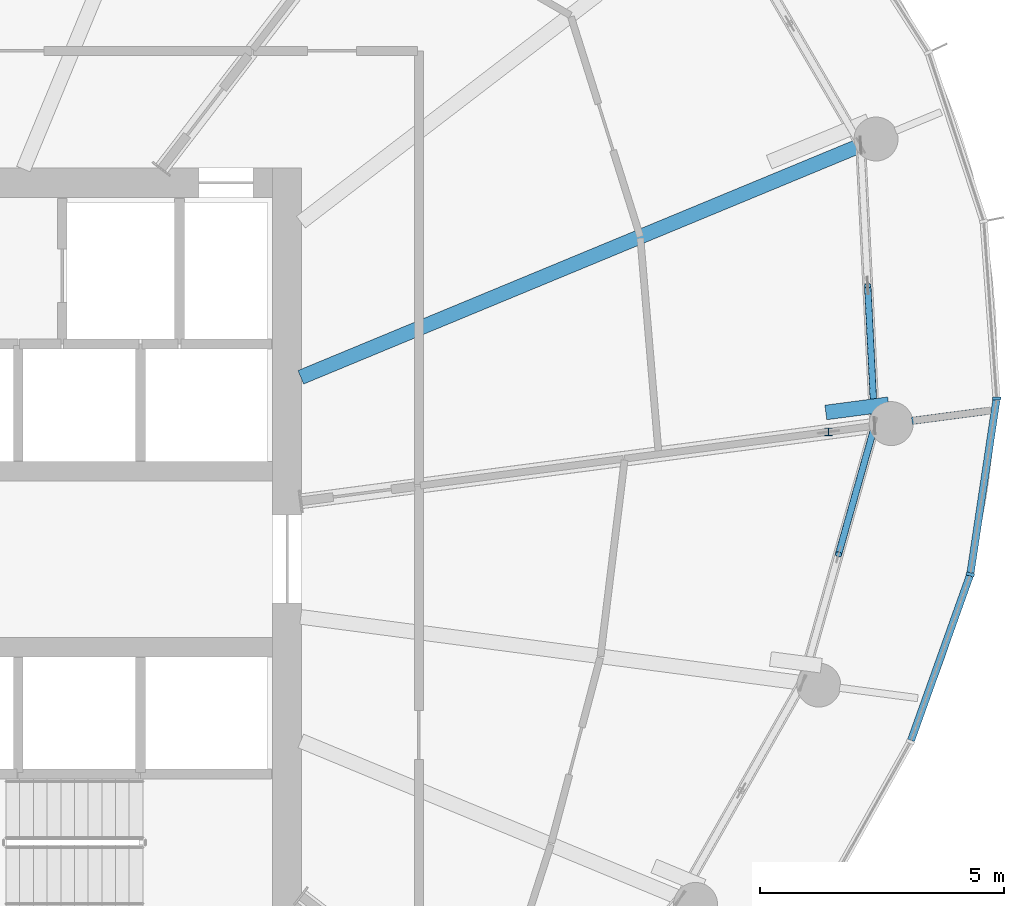
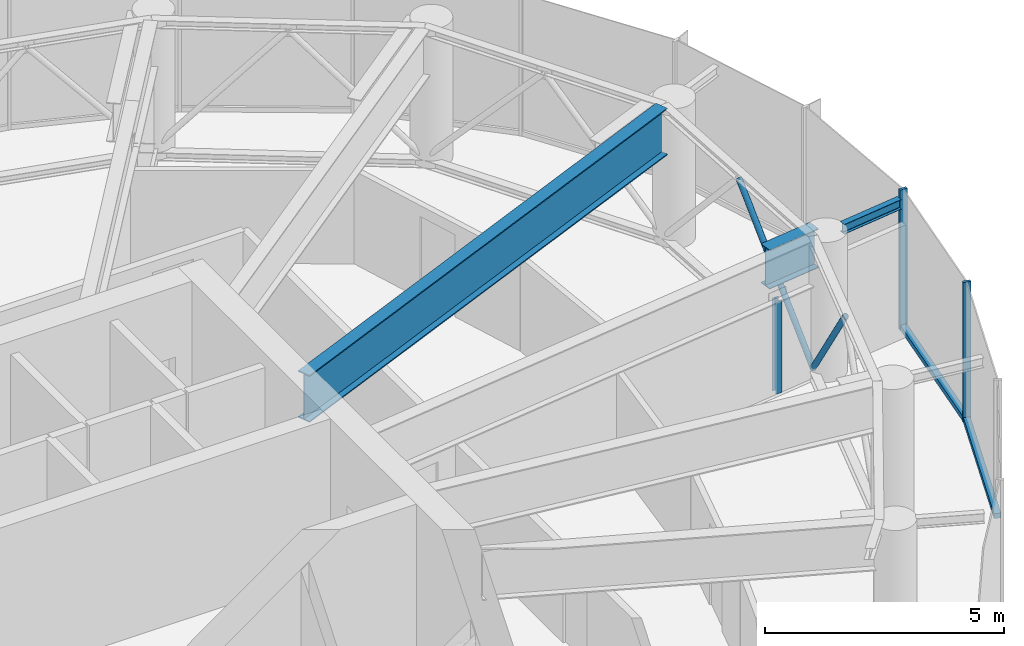
# One storey, part 9 of 26: 7 members, 3 beams, 1 element without a shape of its own.
"""IFC4 building model written with IfcOpenShell, lengths in metres."""

from ifc_helpers import new_model, si_unit, direction, frame, origin, origin_2d, place, context, subcontext, project, spatial, rectangle, hollow_circle, i_section, extrude, source, transform, mapped, material, layer, layer_set, material_profile, profile_set, type_object, element, aggregate, save


model = new_model("IFC4")

# Units and contexts
model_context = context("Model", 3, precision=1e-05, world=origin(), true_north=direction((0.0, 1.0)))
body_context = subcontext(model_context, "Body", "Model", "MODEL_VIEW")
ifc_project = project(units=[si_unit("LENGTHUNIT", "METRE"), si_unit("AREAUNIT", "SQUARE_METRE"), si_unit("VOLUMEUNIT", "CUBIC_METRE"), si_unit("PLANEANGLEUNIT", "RADIAN"), si_unit("MASSUNIT", "GRAM", prefix="KILO")], contexts=[model_context])

# Site, building, storey
site_placement = place(None, origin())
site = spatial("IfcSite", under=ifc_project, at=site_placement, CompositionType="ELEMENT")
building_placement = place(site_placement, origin())
building = spatial("IfcBuilding", under=site, at=building_placement, Name="Spindrift Exchange Tower", CompositionType="ELEMENT")
storey_placement = place(building_placement, frame((0.0, 0.0, 230.60009765625)))
storey = spatial("IfcBuildingStorey", under=building, at=storey_placement, Name="L56", CompositionType="ELEMENT", Elevation=230.60009765625)

# Beams
ifc_material_1 = material(Name="Steel Grade 300", Category="steel")
ifc_material_profile_1 = material_profile(ifc_material_1, i_section(OverallWidth=0.14599609375, OverallDepth=0.251953125, WebThickness=0.006103515625, FlangeThickness=0.008544921875, FilletRadius=0.011962890625, at=origin_2d()), Name="250UB31.4")
ifc_profile_set_1 = profile_set([ifc_material_profile_1], Name="Steel Grade 300")
beam_type_1 = type_object("IfcBeamType", Name="Cantilever Beam 250UB31.4 Steel Grade 300", PredefinedType="BEAM", material=ifc_profile_set_1)
shared_shape_1 = source(origin(), body_context, "Body", "SweptSolid", [
    extrude(i_section(OverallWidth=0.14599609375, OverallDepth=0.251953125, WebThickness=0.006103515625, FlangeThickness=0.008544921875, FilletRadius=0.011962890625, at=origin_2d()), origin(), (0.0, 0.0, 1.0), 1.505126953125),
])
beam_1_placement = place(storey_placement, frame((73.488525390625, 50.8291015625, 3.453857421875), z_axis=(0.991458711995, 0.130420943136, 0.0), x_axis=(-0.130420943136, 0.991458711995, 0.0)))
element("IfcBeam", 1, at=beam_1_placement, inside=storey, type_object=beam_type_1, Name="L56 cantilever beam R01T", PredefinedType="BEAM", context=body_context, shape_type="MappedRepresentation", body=[
    mapped(shared_shape_1, transform((0.0, 0.0, 0.0), scale=1.0)),
])
ifc_material_profile_2 = material_profile(ifc_material_1, i_section(OverallWidth=0.300048828125, OverallDepth=1.199951171875, WebThickness=0.011962890625, FlangeThickness=0.028076171875, at=origin_2d()), Name="1200WB249")
ifc_profile_set_2 = profile_set([ifc_material_profile_2], Name="Steel Grade 300")
beam_type_2 = type_object("IfcBeamType", Name="Transfer Girder 1200WB249 Steel Grade 300", PredefinedType="BEAM", material=ifc_profile_set_2)
shared_shape_2 = source(origin(), body_context, "Body", "SweptSolid", [
    extrude(i_section(OverallWidth=0.300048828125, OverallDepth=1.199951171875, WebThickness=0.011962890625, FlangeThickness=0.028076171875, at=origin_2d()), origin(), (0.0, 0.0, 1.0), 12.3115234375),
])
beam_2_placement = place(storey_placement, frame((60.9814453125, 51.72021484375, 2.97998046875), z_axis=(0.923878099838, 0.382686891126, 0.0), x_axis=(-0.382686891126, 0.923878099838, 0.0)))
element("IfcBeam", 2, at=beam_2_placement, inside=storey, type_object=beam_type_2, Name="L56 radial beam R02A", PredefinedType="BEAM", context=body_context, shape_type="MappedRepresentation", body=[
    mapped(shared_shape_2, transform((0.0, 0.0, 0.0), scale=1.0)),
])

# Members
ifc_material_profile_3 = material_profile(ifc_material_1, i_section(OverallWidth=0.152099609375, OverallDepth=0.152099609375, WebThickness=0.006103515625, FlangeThickness=0.0068359375, FilletRadius=0.008056640625, at=origin_2d()), Name="150UC23.4")
ifc_profile_set_3 = profile_set([ifc_material_profile_3], Name="Steel Grade 300")
member_type_1 = type_object("IfcMemberType", Name="Outrigger Truss Post 150UC23.4 Steel Grade 300", PredefinedType="POST", material=ifc_profile_set_3)
shared_shape_3 = source(origin(), body_context, "Body", "SweptSolid", [
    extrude(i_section(OverallWidth=0.152099609375, OverallDepth=0.152099609375, WebThickness=0.006103515625, FlangeThickness=0.0068359375, FilletRadius=0.008056640625, at=origin_2d()), origin(), (0.0, 0.0, 1.0), 2.3798828125),
])
member_1_placement = place(storey_placement, frame((71.77734375, 50.603759765625, 0.0), z_axis=(0.0, 0.0, 1.0), x_axis=(1.0, 0.0, 0.0)))
element("IfcMember", 3, at=member_1_placement, inside=storey, type_object=member_type_1, Name="L56 outrigger truss 01 post 1", PredefinedType="POST", context=body_context, shape_type="MappedRepresentation", body=[
    mapped(shared_shape_3, transform((0.0, 0.0, 0.0), scale=1.0)),
])
ifc_material_2 = material(Name="Steel Grade 350", Category="steel")
ifc_material_profile_4 = material_profile(ifc_material_2, hollow_circle(Radius=0.06982421875, WallThickness=0.00537109375, at=origin_2d()), Name="139.7x5.4CHS")
ifc_profile_set_4 = profile_set([ifc_material_profile_4], Name="Steel Grade 350")
member_type_2 = type_object("IfcMemberType", Name="Belt Truss Diagonal 139.7x5.4CHS Steel Grade 350", PredefinedType="BRACE", material=ifc_profile_set_4)
shared_shape_4 = source(origin(), body_context, "Body", "SweptSolid", [
    extrude(hollow_circle(Radius=0.06982421875, WallThickness=0.00537109375, at=origin_2d()), origin(), (0.0, 0.0, 1.0), 4.28076171875),
])
member_2_placement = place(storey_placement, frame((72.72509765625, 50.728515625, 0.202880859375), z_axis=(-0.033420008409, 0.670168120849, 0.741456534691), x_axis=(-0.998758900804, -0.049806205078, 0.0)))
element("IfcMember", 4, at=member_2_placement, inside=storey, type_object=member_type_2, Name="L56 belt truss 01 diagonal 1", PredefinedType="BRACE", context=body_context, shape_type="MappedRepresentation", body=[
    mapped(shared_shape_4, transform((0.0, 0.0, 0.0), scale=1.0)),
])
shared_shape_5 = source(origin(), body_context, "Body", "SweptSolid", [
    extrude(hollow_circle(Radius=0.06982421875, WallThickness=0.00537109375, at=origin_2d()), origin(), (0.0, 0.0, 1.0), 4.188720703125),
])
member_3_placement = place(storey_placement, frame((71.984619140625, 48.097412109375, 3.376953125), z_axis=(0.176777304531, 0.628133534762, -0.757758567824), x_axis=(-0.962605094124, 0.270908532103, 0.0)))
element("IfcMember", 5, at=member_3_placement, inside=storey, type_object=member_type_2, Name="L56 belt truss 24 diagonal 2", PredefinedType="BRACE", context=body_context, shape_type="MappedRepresentation", body=[
    mapped(shared_shape_5, transform((0.0, 0.0, 0.0), scale=1.0)),
])

# Beam
ifc_material_profile_5 = material_profile(ifc_material_1, i_section(OverallWidth=0.300048828125, OverallDepth=1.0, WebThickness=0.010009765625, FlangeThickness=0.02001953125, at=origin_2d()), Name="1000WB215")
ifc_profile_set_5 = profile_set([ifc_material_profile_5], Name="Steel Grade 300")
beam_type_3 = type_object("IfcBeamType", Name="Transfer Tie Beam 1000WB215 Steel Grade 300", PredefinedType="BEAM", material=ifc_profile_set_5)
shared_shape_6 = source(origin(), body_context, "Body", "SweptSolid", [
    extrude(i_section(OverallWidth=0.300048828125, OverallDepth=1.0, WebThickness=0.010009765625, FlangeThickness=0.02001953125, at=origin_2d()), origin(), (0.0, 0.0, 1.0), 1.2958984375),
])
beam_3_placement = place(storey_placement, frame((73.010009765625, 51.16943359375, 2.97998046875), z_axis=(-0.991442108737, -0.13054709887, 0.0), x_axis=(0.13054709887, -0.991442108737, 0.0)))
element("IfcBeam", 6, at=beam_3_placement, inside=storey, type_object=beam_type_3, Name="L56 transfer tie beam K01", PredefinedType="BEAM", context=body_context, shape_type="MappedRepresentation", body=[
    mapped(shared_shape_6, transform((0.0, 0.0, 0.0), scale=1.0)),
])

# Curtain wall, members
ifc_material_3 = material(Name="Fritted laminated glass with bronze frame", Category="glass")
ifc_layer = layer(ifc_material_3, 0.169921875)
ifc_layer_set = layer_set([ifc_layer], Name="ZONE 4 BRONZE FRITTED WALL")
curtain_wall_type = type_object("IfcCurtainWallType", Name="ZONE 4 BRONZE FRITTED WALL", PredefinedType="NOTDEFINED", material=ifc_layer_set)
curtain_wall_placement = place(storey_placement, origin())
curtain_wall = element("IfcCurtainWall", 7, at=curtain_wall_placement, inside=storey, type_object=curtain_wall_type, Name="L56 Zone 4 Bronze Fritted Wall run 6", PredefinedType="NOTDEFINED")
ifc_material_4 = material(Name="Bronze anodised aluminium", Category="aluminium")
ifc_material_profile_6 = material_profile(ifc_material_4, rectangle(XDim=0.06494140625, YDim=0.169921875, at=origin_2d()), Name="ZONE 4 BRONZE FRITTED WALL MULLION 65X170")
ifc_profile_set_6 = profile_set([ifc_material_profile_6], Name="Bronze anodised aluminium")
member_type_3 = type_object("IfcMemberType", Name="ZONE 4 BRONZE FRITTED WALL MULLION 65X170", PredefinedType="MULLION", material=ifc_profile_set_6)
shared_shape_7 = source(origin(), body_context, "Body", "SweptSolid", [
    extrude(rectangle(XDim=0.06494140625, YDim=0.169921875, at=origin_2d()), origin(), (0.0, 0.0, 1.0), 3.579833984375),
])
member_4_placement = place(storey_placement, frame((74.68115234375, 47.6875, 0.0), z_axis=(0.0, 0.0, 1.0), x_axis=(0.243242527096, 0.969965500939, 0.0)))
member_4 = element("IfcMember", 8, at=member_4_placement, type_object=member_type_3, Name="L56 mullion CW-4.35", PredefinedType="MULLION", context=body_context, shape_type="MappedRepresentation", body=[
    mapped(shared_shape_7, transform((0.0, 0.0, 0.0), scale=1.0)),
])
member_5_placement = place(storey_placement, frame((75.219970703125, 51.285888671875, 0.0), z_axis=(0.0, 0.0, 1.0), x_axis=(0.037978679323, 0.999278549713, 0.0)))
member_5 = element("IfcMember", 9, at=member_5_placement, type_object=member_type_3, Name="L56 mullion CW-4.36", PredefinedType="MULLION", context=body_context, shape_type="MappedRepresentation", body=[
    mapped(shared_shape_7, transform((0.0, 0.0, 0.0), scale=1.0)),
])
ifc_material_profile_7 = material_profile(ifc_material_4, rectangle(XDim=0.14990234375, YDim=0.125, at=origin_2d()), Name="ZONE 4 BRONZE FRITTED WALL TRANSOM 150X125")
ifc_profile_set_7 = profile_set([ifc_material_profile_7], Name="Bronze anodised aluminium")
member_type_4 = type_object("IfcMemberType", Name="ZONE 4 BRONZE FRITTED WALL TRANSOM 150X125", PredefinedType="USERDEFINED", material=ifc_profile_set_7)
shared_shape_8 = source(origin(), body_context, "Body", "SweptSolid", [
    extrude(rectangle(XDim=0.14990234375, YDim=0.125, at=origin_2d()), origin(), (0.0, 0.0, 1.0), 3.5732421875),
])
member_6_placement = place(storey_placement, frame((74.68603515625, 47.7197265625, 0.0625), z_axis=(0.148056462684, 0.988978909713, 0.0), x_axis=(-0.988978909713, 0.148056462684, 0.0)))
member_6 = element("IfcMember", 10, at=member_6_placement, type_object=member_type_4, Name="L56 transom CW-4.35", ObjectType="TRANSOM", PredefinedType="USERDEFINED", context=body_context, shape_type="MappedRepresentation", body=[
    mapped(shared_shape_8, transform((0.0, 0.0, 0.0), scale=1.0)),
])
shared_shape_9 = source(origin(), body_context, "Body", "SweptSolid", [
    extrude(rectangle(XDim=0.14990234375, YDim=0.125, at=origin_2d()), origin(), (0.0, 0.0, 1.0), 3.574951171875),
])
member_7_placement = place(storey_placement, frame((73.46875, 44.2900390625, 0.0625), z_axis=(0.336072480272, 0.941836125875, 0.0), x_axis=(-0.941836125875, 0.336072480272, 0.0)))
member_7 = element("IfcMember", 11, at=member_7_placement, type_object=member_type_4, Name="L56 transom CW-4.34", ObjectType="TRANSOM", PredefinedType="USERDEFINED", context=body_context, shape_type="MappedRepresentation", body=[
    mapped(shared_shape_9, transform((0.0, 0.0, 0.0), scale=1.0)),
])
aggregate(curtain_wall, [member_7, member_4, member_6, member_5])

save(model, "model.ifc")
